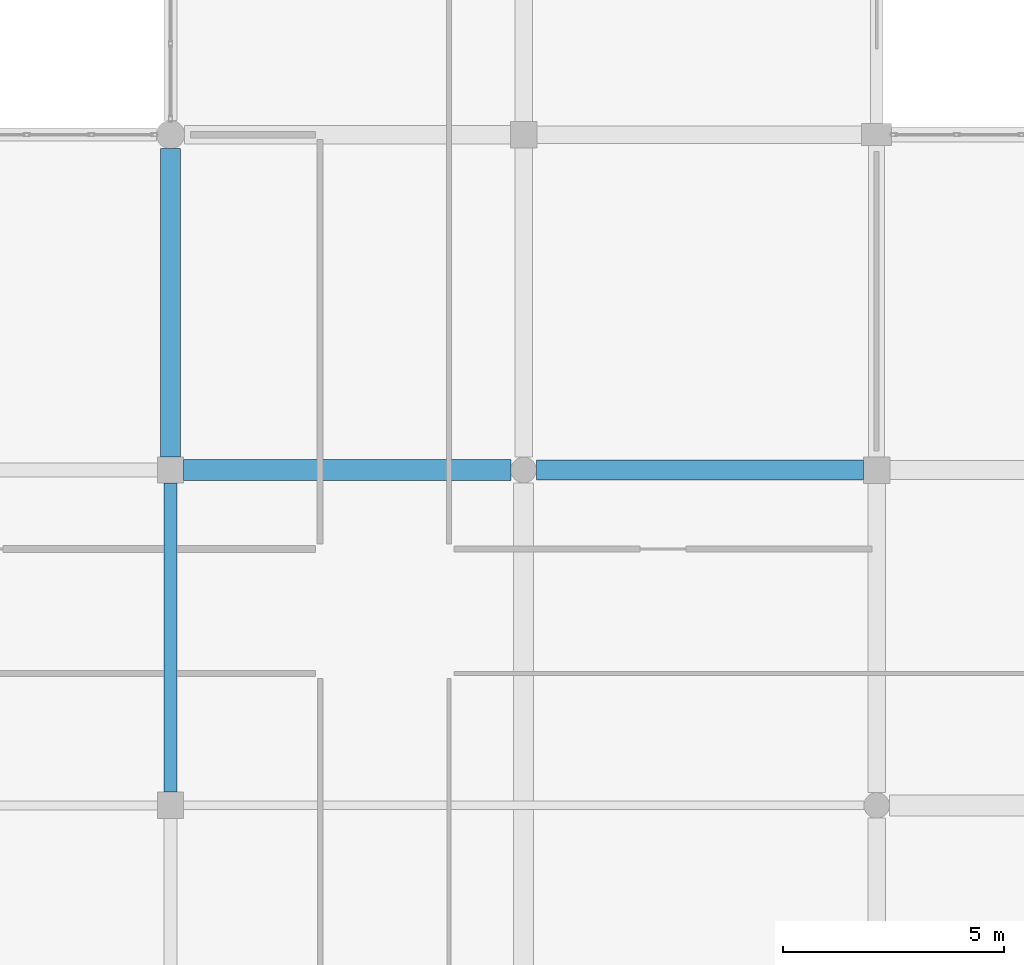
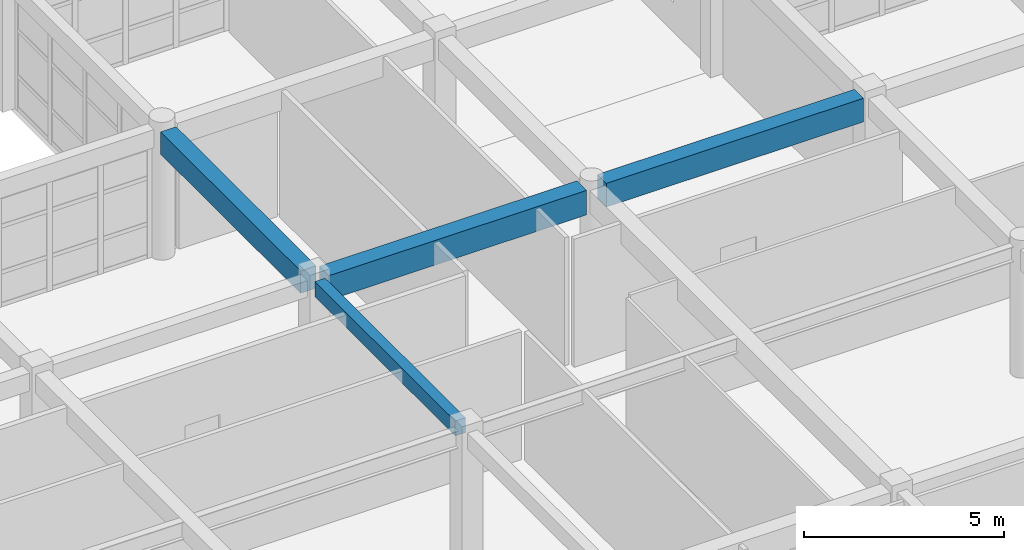
# One storey, part 21 of 121: 4 beams.
"""IFC4 building model written with IfcOpenShell, lengths in metres."""

import ifcopenshell
import ifcopenshell.guid

model = None  # the IFC model being written
_history = None  # IfcOwnerHistory: only IFC2X3 demands one
_inside = {}  # id of a spatial element -> (the spatial element, [elements in it])
_under = {}  # id of a project, library or spatial element -> (it, [spatial elements below it])
_declared = {}  # id of a project -> (the project, [libraries it declares])
_typed = {}  # id of a type object -> (the type object, [elements of that type])
_made_of = {}  # id of a material, layer set ... -> (it, [elements and type objects made of it])


def new_model(schema):
    """Start an empty IFC model of exactly this schema.

    Asked for "IFC4X3", IfcOpenShell would pick the latest addendum, in which some entities
    have other attributes; the version numbers below select the first issue.
    IFC2X3 requires an IfcOwnerHistory on every rooted entity: one is made here for all.
    """
    global model, _history
    if schema == "IFC4X3":
        model = ifcopenshell.file(schema_version=(4, 3, 0, 0))
    else:
        model = ifcopenshell.file(schema=schema)
    _inside.clear()
    _under.clear()
    _declared.clear()
    _typed.clear()
    _made_of.clear()
    _history = None
    if model.schema == "IFC2X3":
        org = make("IfcOrganization", Name="unknown")
        user = make(
            "IfcPersonAndOrganization",
            ThePerson=make("IfcPerson", FamilyName="unknown"),
            TheOrganization=org,
        )
        app = make(
            "IfcApplication",
            ApplicationDeveloper=org,
            Version="unknown",
            ApplicationFullName="unknown",
            ApplicationIdentifier="unknown",
        )
        _history = make(
            "IfcOwnerHistory",
            OwningUser=user,
            OwningApplication=app,
            ChangeAction="ADDED",
            CreationDate=0,
        )
    return model


def make(cls, **values):
    """One entity of the class cls with the attributes given. An attribute that is None is left unset."""
    return model.create_entity(
        cls, **{name: value for name, value in values.items() if value is not None}
    )


def rooted(cls, **values):
    """An entity with a GlobalId (a new one), such as an element, a storey or a relation."""
    return make(cls, GlobalId=ifcopenshell.guid.new(), OwnerHistory=_history, **values)


def si_unit(unit_type, name, prefix=None):
    """IfcSIUnit, for example si_unit("LENGTHUNIT", "METRE", prefix="MILLI")."""
    return make("IfcSIUnit", UnitType=unit_type, Prefix=prefix, Name=name)


def assignment(units):
    """IfcUnitAssignment: the units of a project."""
    return None if units is None else make("IfcUnitAssignment", Units=units)


def point(xyz):
    """IfcCartesianPoint."""
    return None if xyz is None else make("IfcCartesianPoint", Coordinates=xyz)


def direction(xyz):
    """IfcDirection."""
    return None if xyz is None else make("IfcDirection", DirectionRatios=xyz)


def frame(location, z_axis=None, x_axis=None):
    """IfcAxis2Placement3D, a coordinate frame: its origin and axes. An axis left out is left unset."""
    return make(
        "IfcAxis2Placement3D",
        Location=point(location),
        Axis=direction(z_axis),
        RefDirection=direction(x_axis),
    )


def frame_2d(location, x_axis=None):
    """IfcAxis2Placement2D, a coordinate frame in the plane: its origin and x axis."""
    return make(
        "IfcAxis2Placement2D", Location=point(location), RefDirection=direction(x_axis)
    )


def origin():
    """The frame at (0, 0, 0) with its axes left unset."""
    return frame((0.0, 0.0, 0.0))


def origin_2d():
    """The frame at (0, 0) in the plane with its x axis left unset."""
    return frame_2d((0.0, 0.0))


def place(relative_to, where):
    """IfcLocalPlacement: puts the frame where relative to a parent placement (None: the world)."""
    return make(
        "IfcLocalPlacement", PlacementRelTo=relative_to, RelativePlacement=where
    )


def context(
    kind, dimensions, precision=None, world=None, true_north=None, identifier=None
):
    """IfcGeometricRepresentationContext, for example the 3D "Model" context."""
    return make(
        "IfcGeometricRepresentationContext",
        ContextIdentifier=identifier,
        ContextType=kind,
        CoordinateSpaceDimension=dimensions,
        Precision=precision,
        WorldCoordinateSystem=world,
        TrueNorth=true_north,
    )


def subcontext(parent, identifier, kind, view, scale=None):
    """IfcGeometricRepresentationSubContext, for example "Body" below "Model"."""
    return make(
        "IfcGeometricRepresentationSubContext",
        ContextIdentifier=identifier,
        ContextType=kind,
        ParentContext=parent,
        TargetScale=scale,
        TargetView=view,
    )


def project(units=None, contexts=None):
    """IfcProject with its units and contexts."""
    return rooted(
        "IfcProject",
        Name="project",
        RepresentationContexts=contexts,
        UnitsInContext=assignment(units),
    )


def spatial(cls, under=None, at=None, **own):
    """A site, building, storey or space (cls), placed at a placement, below another one or the project."""
    s = rooted(cls, ObjectPlacement=at, **own)
    if under is not None:
        _under.setdefault(under.id(), (under, []))[1].append(s)
    return s


def profile(cls, at=None, kind="AREA", **sizes):
    """A parametric profile (cls). Its sizes go by their IFC names, for example OverallWidth=200.0."""
    return make(cls, ProfileType=kind, Position=at, **sizes)


def rectangle(**sizes):
    """IfcRectangleProfileDef."""
    return profile("IfcRectangleProfileDef", **sizes)


def extrude(swept, where, along, depth):
    """IfcExtrudedAreaSolid: the profile swept, set in the frame where, extruded along a direction by depth."""
    return make(
        "IfcExtrudedAreaSolid",
        SweptArea=swept,
        Position=where,
        ExtrudedDirection=direction(along),
        Depth=depth,
    )


def shape(context_of_items, identifier, shape_type, items):
    """IfcShapeRepresentation: the items that make up one representation, for example the "Body"."""
    return make(
        "IfcShapeRepresentation",
        ContextOfItems=context_of_items,
        RepresentationIdentifier=identifier,
        RepresentationType=shape_type,
        Items=items,
    )


def material(Name=None, Category=None):
    """IfcMaterial."""
    return make("IfcMaterial", Name=Name, Category=Category)


def material_profile(
    of_material, cross_section, Name=None, Category=None, Priority=None
):
    """IfcMaterialProfile: a cross section and its material."""
    return make(
        "IfcMaterialProfile",
        Name=Name,
        Material=of_material,
        Profile=cross_section,
        Priority=Priority,
        Category=Category,
    )


def profile_set(profiles, Name=None, composite=None):
    """IfcMaterialProfileSet."""
    return make(
        "IfcMaterialProfileSet",
        Name=Name,
        MaterialProfiles=profiles,
        CompositeProfile=composite,
    )


def made_of(thing, what):
    """Note that an element or type object is made of a material, layer set ...; save() writes the relation."""
    if what is not None:
        _made_of.setdefault(what.id(), (what, []))[1].append(thing)
    return thing


def type_object(cls, material=None, **own):
    """A type object (cls), such as IfcWallType, which elements share."""
    return made_of(rooted(cls, **own), material)


def element(
    cls,
    number,
    at=None,
    inside=None,
    cuts=None,
    type_object=None,
    material=None,
    context=None,
    identifier="Body",
    shape_type=None,
    held_by="IfcProductDefinitionShape",
    body=None,
    shapes=None,
    **own,
):
    """One element of the class cls, such as IfcWall. Its Tag is "e" and its number.

    at: its placement. inside: the storey or other place that contains it. cuts: it is an
    opening in that element (IfcRelVoidsElement). A single representation is given by context,
    identifier, shape_type and body (its items); several are given by shapes. held_by: the class
    of the entity that holds the representations. save() writes the other relations.
    """
    e = rooted(cls, Tag="e%d" % number, ObjectPlacement=at, **own)
    if body is not None:
        shapes = [shape(context, identifier, shape_type, body)]
    if shapes is not None:
        e.Representation = make(held_by, Representations=shapes)
    if inside is not None:
        _inside.setdefault(inside.id(), (inside, []))[1].append(e)
    if cuts is not None:
        rooted(
            "IfcRelVoidsElement", RelatingBuildingElement=cuts, RelatedOpeningElement=e
        )
    if type_object is not None:
        _typed.setdefault(type_object.id(), (type_object, []))[1].append(e)
    return made_of(e, material)


def aggregate(whole, parts):
    """IfcRelAggregates: a whole, such as a stair, and the parts it consists of."""
    return rooted("IfcRelAggregates", RelatingObject=whole, RelatedObjects=parts)


def save(model, path):
    """Write the relations noted so far, then the file.

    IfcRelAggregates (storeys below a building ...), IfcRelContainedInSpatialStructure (elements
    in a storey), IfcRelDefinesByType, IfcRelAssociatesMaterial and IfcRelDeclares: one each for
    every whole, place, type object, material and project.
    """
    for whole, parts in _under.values():
        aggregate(whole, parts)
    for where, things in _inside.values():
        rooted(
            "IfcRelContainedInSpatialStructure",
            RelatedElements=things,
            RelatingStructure=where,
        )
    for kind, things in _typed.values():
        rooted("IfcRelDefinesByType", RelatedObjects=things, RelatingType=kind)
    for what, things in _made_of.values():
        rooted("IfcRelAssociatesMaterial", RelatedObjects=things, RelatingMaterial=what)
    for by, libraries in _declared.values():
        rooted("IfcRelDeclares", RelatingContext=by, RelatedDefinitions=libraries)
    model.write(path)


model = new_model("IFC4")

# Units and contexts
model_context = context("Model", 3, precision=1e-05, world=origin(), true_north=direction((0.0, 1.0)))
body_context = subcontext(model_context, "Body", "Model", "MODEL_VIEW")
ifc_project = project(units=[si_unit("LENGTHUNIT", "METRE"), si_unit("AREAUNIT", "SQUARE_METRE"), si_unit("VOLUMEUNIT", "CUBIC_METRE"), si_unit("PLANEANGLEUNIT", "RADIAN"), si_unit("MASSUNIT", "GRAM", prefix="KILO")], contexts=[model_context])

# Site, building, storey
site_placement = place(None, origin())
site = spatial("IfcSite", under=ifc_project, at=site_placement, CompositionType="ELEMENT")
building_placement = place(site_placement, origin())
building = spatial("IfcBuilding", under=site, at=building_placement, Name="Kharva Crest Polytechnic", CompositionType="ELEMENT")
storey_placement = place(building_placement, frame((0.0, 0.0, 13.199951171875)))
storey = spatial("IfcBuildingStorey", under=building, at=storey_placement, Name="L03", CompositionType="ELEMENT", Elevation=13.199951171875)

# Beams
ifc_material = material(Name="Concrete C35/45", Category="concrete")
ifc_material_profile_1 = material_profile(ifc_material, rectangle(XDim=0.300048828125, YDim=0.449951171875, at=origin_2d()), Name="RECT 300 X 450")
ifc_profile_set_1 = profile_set([ifc_material_profile_1], Name="Concrete C35/45")
beam_type_1 = type_object("IfcBeamType", Name="BM-RC-300X450", PredefinedType="BEAM", material=ifc_profile_set_1)
beam_1_placement = place(storey_placement, frame((32.0, 15.5, 3.735107421875), z_axis=(0.0, 1.0, 0.0), x_axis=(-1.0, 0.0, 0.0)))
element("IfcBeam", 1, at=beam_1_placement, inside=storey, type_object=beam_type_1, Name="L03 Girder 5/C-D", PredefinedType="BEAM", context=body_context, shape_type="SweptSolid", body=[
    extrude(rectangle(XDim=0.300048828125, YDim=0.449951171875, at=origin_2d()), origin(), (0.0, 0.0, 1.0), 7.010009765625),
])
ifc_material_profile_2 = material_profile(ifc_material, rectangle(XDim=0.449951171875, YDim=0.679931640625, at=origin_2d()), Name="RECT 450 X 680")
ifc_profile_set_2 = profile_set([ifc_material_profile_2], Name="Concrete C35/45")
beam_type_2 = type_object("IfcBeamType", Name="BM-RC-450X680", PredefinedType="BEAM", material=ifc_profile_set_2)
beam_2_placement = place(storey_placement, frame((32.0, 23.090087890625, 3.6201171875), z_axis=(0.0, 1.0, 0.0), x_axis=(-1.0, 0.0, 0.0)))
element("IfcBeam", 2, at=beam_2_placement, inside=storey, type_object=beam_type_2, Name="L03 Girder 5/D-E", PredefinedType="BEAM", context=body_context, shape_type="SweptSolid", body=[
    extrude(rectangle(XDim=0.449951171875, YDim=0.679931640625, at=origin_2d()), origin(), (0.0, 0.0, 1.0), 6.989990234375),
])
ifc_material_profile_3 = material_profile(ifc_material, rectangle(XDim=0.449951171875, YDim=0.719970703125, at=origin_2d()), Name="RECT 450 X 720")
ifc_profile_set_3 = profile_set([ifc_material_profile_3], Name="Concrete C35/45")
beam_type_3 = type_object("IfcBeamType", Name="BM-RC-450X720", PredefinedType="BEAM", material=ifc_profile_set_3)
beam_3_placement = place(storey_placement, frame((40.2900390625, 22.800048828125, 3.60009765625), z_axis=(1.0, 0.0, 0.0), x_axis=(0.0, 1.0, 0.0)))
element("IfcBeam", 3, at=beam_3_placement, inside=storey, type_object=beam_type_3, Name="L03 Beam D/6-7", PredefinedType="BEAM", context=body_context, shape_type="SweptSolid", body=[
    extrude(rectangle(XDim=0.449951171875, YDim=0.719970703125, at=origin_2d()), origin(), (0.0, 0.0, 1.0), 7.409912109375),
])
ifc_material_profile_4 = material_profile(ifc_material, rectangle(XDim=0.47998046875, YDim=0.75, at=origin_2d()), Name="RECT 480 X 750")
ifc_profile_set_4 = profile_set([ifc_material_profile_4], Name="Concrete C35/45")
beam_type_4 = type_object("IfcBeamType", Name="BM-RC-480X750", PredefinedType="BEAM", material=ifc_profile_set_4)
beam_4_placement = place(storey_placement, frame((32.2900390625, 22.800048828125, 3.5849609375), z_axis=(1.0, 0.0, 0.0), x_axis=(0.0, 1.0, 0.0)))
element("IfcBeam", 4, at=beam_4_placement, inside=storey, type_object=beam_type_4, Name="L03 Beam D/5-6", PredefinedType="BEAM", context=body_context, shape_type="SweptSolid", body=[
    extrude(rectangle(XDim=0.47998046875, YDim=0.75, at=origin_2d()), origin(), (0.0, 0.0, 1.0), 7.419921875),
])

save(model, "model.ifc")
